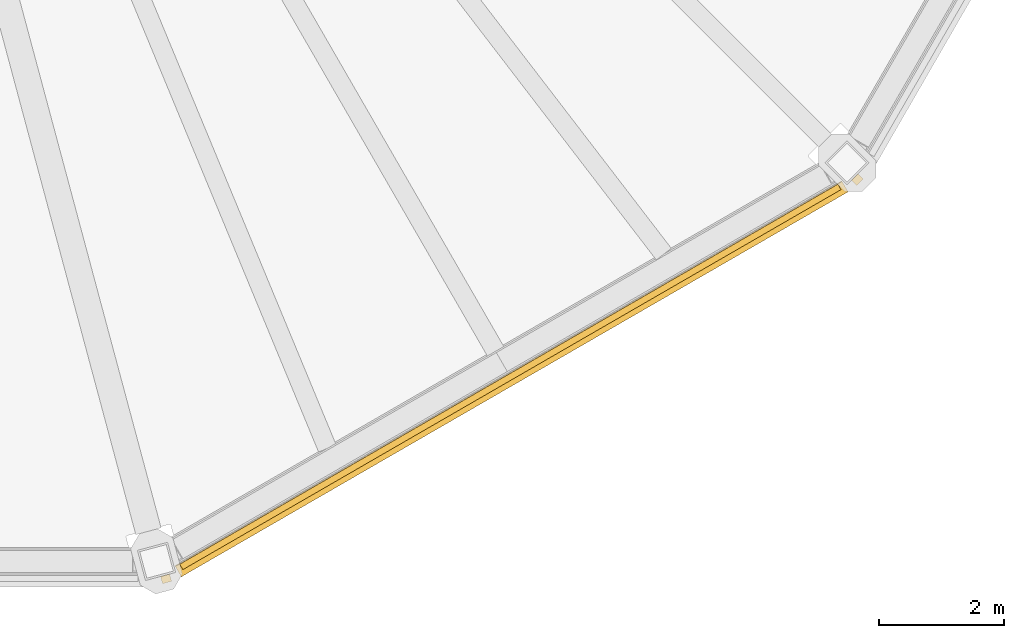
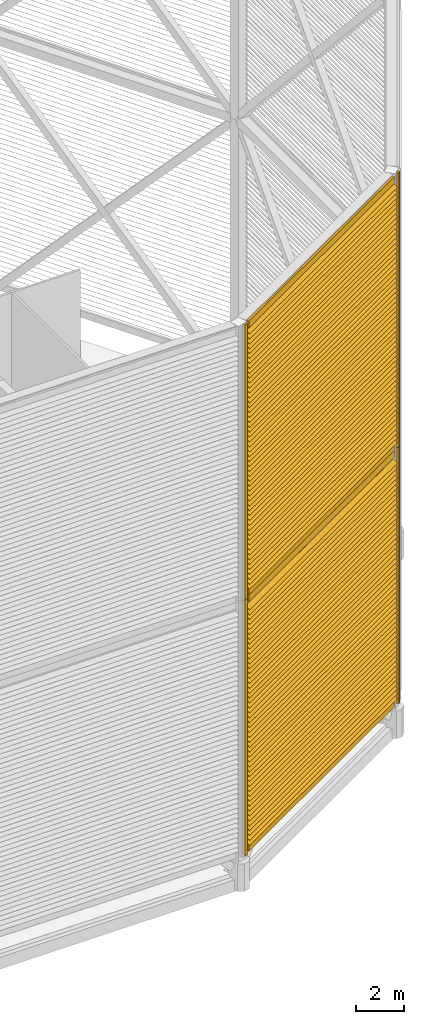
# One storey, part 11 of 18: 2 shading devices.
"""IFC4 building model written with IfcOpenShell, lengths in metres."""

from ifc_helpers import new_model, si_unit, direction, frame, origin, origin_2d, place, context, subcontext, project, spatial, rectangle, extrude, material, type_object, element, save


model = new_model("IFC4")

# Units and contexts
model_context = context("Model", 3, precision=1e-05, world=origin(), true_north=direction((0.0, 1.0)))
body_context = subcontext(model_context, "Body", "Model", "MODEL_VIEW")
ifc_project = project(units=[si_unit("LENGTHUNIT", "METRE"), si_unit("AREAUNIT", "SQUARE_METRE"), si_unit("VOLUMEUNIT", "CUBIC_METRE"), si_unit("PLANEANGLEUNIT", "RADIAN"), si_unit("MASSUNIT", "GRAM", prefix="KILO")], contexts=[model_context])

# Site, building, storey
site_placement = place(None, origin())
site = spatial("IfcSite", under=ifc_project, at=site_placement, CompositionType="ELEMENT")
building_placement = place(site_placement, origin())
building = spatial("IfcBuilding", under=site, at=building_placement, Name="Sahrelin Media Tower", CompositionType="ELEMENT")
storey_placement = place(building_placement, frame((0.0, 0.0, 335.800048828125)))
storey = spatial("IfcBuildingStorey", under=building, at=storey_placement, Name="Crown", CompositionType="ELEMENT", Elevation=335.800048828125)

# Shading devices
ifc_material = material(Name="Champagne anodised aluminium 6063-T6", Category="aluminium")
shading_device_type = type_object("IfcShadingDeviceType", Name="Crown louvre screen", PredefinedType="USERDEFINED", material=ifc_material)
shading_device_1_placement = place(storey_placement, frame((6.38525390625, -23.830078125, 0.949951171875), z_axis=(0.0, 0.0, 1.0), x_axis=(-0.866019052629, -0.500011000363, 0.0)))
element("IfcShadingDevice", 1, at=shading_device_1_placement, inside=storey, type_object=shading_device_type, Name="Crown louvre screen CS-09A", ObjectType="LOUVRE", PredefinedType="USERDEFINED", context=body_context, shape_type="SweptSolid", body=[
    extrude(rectangle(XDim=0.10009765625, YDim=0.35009765625, at=origin_2d()), frame((-0.300048828125, 0.27490234375, 12.875), z_axis=(-1.0, 0.0, 0.0), x_axis=(0.0, -1.0, 0.0)), (0.0, 0.0, 1.0), 12.17041015625),
    extrude(rectangle(XDim=0.10009765625, YDim=0.35009765625, at=origin_2d()), frame((-0.300048828125, 0.27490234375, 0.175048828125), z_axis=(-1.0, 0.0, 0.0), x_axis=(0.0, -1.0, 0.0)), (0.0, 0.0, 1.0), 12.17041015625),
    extrude(rectangle(XDim=0.1201171875, YDim=0.14990234375, at=origin_2d()), frame((0.0078125, 0.31884765625, 0.0), z_axis=(0.0, 0.0, 1.0), x_axis=(0.258820730961, 0.965925374563, 0.0)), (0.0, 0.0, 1.0), 13.050048828125),
    extrude(rectangle(XDim=0.1201171875, YDim=0.14990234375, at=origin_2d()), frame((-12.7783203125, 0.31884765625, 0.0), z_axis=(0.0, 0.0, 1.0), x_axis=(-0.258817359244, 0.965926278012, 0.0)), (0.0, 0.0, 1.0), 13.050048828125),
    extrude(rectangle(XDim=0.25, YDim=0.02001953125, at=origin_2d()), frame((-0.219970703125, 0.31005859375, 0.449951171875), z_axis=(-1.0, 0.0, 0.0), x_axis=(0.0, -0.766044443119, 0.642787609687)), (0.0, 0.0, 1.0), 12.33056640625),
    extrude(rectangle(XDim=0.25, YDim=0.02001953125, at=origin_2d()), frame((-0.219970703125, 0.31005859375, 0.699951171875), z_axis=(-1.0, 0.0, 0.0), x_axis=(0.0, -0.766044443119, 0.642787609687)), (0.0, 0.0, 1.0), 12.33056640625),
    extrude(rectangle(XDim=0.25, YDim=0.02001953125, at=origin_2d()), frame((-0.219970703125, 0.31005859375, 0.949951171875), z_axis=(-1.0, 0.0, 0.0), x_axis=(0.0, -0.766044443119, 0.642787609687)), (0.0, 0.0, 1.0), 12.33056640625),
    extrude(rectangle(XDim=0.25, YDim=0.02001953125, at=origin_2d()), frame((-0.219970703125, 0.31005859375, 1.199951171875), z_axis=(-1.0, 0.0, 0.0), x_axis=(0.0, -0.766044443119, 0.642787609687)), (0.0, 0.0, 1.0), 12.33056640625),
    extrude(rectangle(XDim=0.25, YDim=0.02001953125, at=origin_2d()), frame((-0.219970703125, 0.31005859375, 1.449951171875), z_axis=(-1.0, 0.0, 0.0), x_axis=(0.0, -0.766044443119, 0.642787609687)), (0.0, 0.0, 1.0), 12.33056640625),
    extrude(rectangle(XDim=0.25, YDim=0.02001953125, at=origin_2d()), frame((-0.219970703125, 0.31005859375, 1.699951171875), z_axis=(-1.0, 0.0, 0.0), x_axis=(0.0, -0.766044443119, 0.642787609687)), (0.0, 0.0, 1.0), 12.33056640625),
    extrude(rectangle(XDim=0.25, YDim=0.02001953125, at=origin_2d()), frame((-0.219970703125, 0.31005859375, 1.949951171875), z_axis=(-1.0, 0.0, 0.0), x_axis=(0.0, -0.766044443119, 0.642787609687)), (0.0, 0.0, 1.0), 12.33056640625),
    extrude(rectangle(XDim=0.25, YDim=0.02001953125, at=origin_2d()), frame((-0.219970703125, 0.31005859375, 2.199951171875), z_axis=(-1.0, 0.0, 0.0), x_axis=(0.0, -0.766044443119, 0.642787609687)), (0.0, 0.0, 1.0), 12.33056640625),
    extrude(rectangle(XDim=0.25, YDim=0.02001953125, at=origin_2d()), frame((-0.219970703125, 0.31005859375, 2.449951171875), z_axis=(-1.0, 0.0, 0.0), x_axis=(0.0, -0.766044443119, 0.642787609687)), (0.0, 0.0, 1.0), 12.33056640625),
    extrude(rectangle(XDim=0.25, YDim=0.02001953125, at=origin_2d()), frame((-0.219970703125, 0.31005859375, 2.699951171875), z_axis=(-1.0, 0.0, 0.0), x_axis=(0.0, -0.766044443119, 0.642787609687)), (0.0, 0.0, 1.0), 12.33056640625),
    extrude(rectangle(XDim=0.25, YDim=0.02001953125, at=origin_2d()), frame((-0.219970703125, 0.31005859375, 2.949951171875), z_axis=(-1.0, 0.0, 0.0), x_axis=(0.0, -0.766044443119, 0.642787609687)), (0.0, 0.0, 1.0), 12.33056640625),
    extrude(rectangle(XDim=0.25, YDim=0.02001953125, at=origin_2d()), frame((-0.219970703125, 0.31005859375, 3.199951171875), z_axis=(-1.0, 0.0, 0.0), x_axis=(0.0, -0.766044443119, 0.642787609687)), (0.0, 0.0, 1.0), 12.33056640625),
    extrude(rectangle(XDim=0.25, YDim=0.02001953125, at=origin_2d()), frame((-0.219970703125, 0.31005859375, 3.449951171875), z_axis=(-1.0, 0.0, 0.0), x_axis=(0.0, -0.766044443119, 0.642787609687)), (0.0, 0.0, 1.0), 12.33056640625),
    extrude(rectangle(XDim=0.25, YDim=0.02001953125, at=origin_2d()), frame((-0.219970703125, 0.31005859375, 3.699951171875), z_axis=(-1.0, 0.0, 0.0), x_axis=(0.0, -0.766044443119, 0.642787609687)), (0.0, 0.0, 1.0), 12.33056640625),
    extrude(rectangle(XDim=0.25, YDim=0.02001953125, at=origin_2d()), frame((-0.219970703125, 0.31005859375, 3.949951171875), z_axis=(-1.0, 0.0, 0.0), x_axis=(0.0, -0.766044443119, 0.642787609687)), (0.0, 0.0, 1.0), 12.33056640625),
    extrude(rectangle(XDim=0.25, YDim=0.02001953125, at=origin_2d()), frame((-0.219970703125, 0.31005859375, 4.199951171875), z_axis=(-1.0, 0.0, 0.0), x_axis=(0.0, -0.766044443119, 0.642787609687)), (0.0, 0.0, 1.0), 12.33056640625),
    extrude(rectangle(XDim=0.25, YDim=0.02001953125, at=origin_2d()), frame((-0.219970703125, 0.31005859375, 4.449951171875), z_axis=(-1.0, 0.0, 0.0), x_axis=(0.0, -0.766044443119, 0.642787609687)), (0.0, 0.0, 1.0), 12.33056640625),
    extrude(rectangle(XDim=0.25, YDim=0.02001953125, at=origin_2d()), frame((-0.219970703125, 0.31005859375, 4.699951171875), z_axis=(-1.0, 0.0, 0.0), x_axis=(0.0, -0.766044443119, 0.642787609687)), (0.0, 0.0, 1.0), 12.33056640625),
    extrude(rectangle(XDim=0.25, YDim=0.02001953125, at=origin_2d()), frame((-0.219970703125, 0.31005859375, 4.949951171875), z_axis=(-1.0, 0.0, 0.0), x_axis=(0.0, -0.766044443119, 0.642787609687)), (0.0, 0.0, 1.0), 12.33056640625),
    extrude(rectangle(XDim=0.25, YDim=0.02001953125, at=origin_2d()), frame((-0.219970703125, 0.31005859375, 5.199951171875), z_axis=(-1.0, 0.0, 0.0), x_axis=(0.0, -0.766044443119, 0.642787609687)), (0.0, 0.0, 1.0), 12.33056640625),
    extrude(rectangle(XDim=0.25, YDim=0.02001953125, at=origin_2d()), frame((-0.219970703125, 0.31005859375, 5.449951171875), z_axis=(-1.0, 0.0, 0.0), x_axis=(0.0, -0.766044443119, 0.642787609687)), (0.0, 0.0, 1.0), 12.33056640625),
    extrude(rectangle(XDim=0.25, YDim=0.02001953125, at=origin_2d()), frame((-0.219970703125, 0.31005859375, 5.699951171875), z_axis=(-1.0, 0.0, 0.0), x_axis=(0.0, -0.766044443119, 0.642787609687)), (0.0, 0.0, 1.0), 12.33056640625),
    extrude(rectangle(XDim=0.25, YDim=0.02001953125, at=origin_2d()), frame((-0.219970703125, 0.31005859375, 5.949951171875), z_axis=(-1.0, 0.0, 0.0), x_axis=(0.0, -0.766044443119, 0.642787609687)), (0.0, 0.0, 1.0), 12.33056640625),
    extrude(rectangle(XDim=0.25, YDim=0.02001953125, at=origin_2d()), frame((-0.219970703125, 0.31005859375, 6.199951171875), z_axis=(-1.0, 0.0, 0.0), x_axis=(0.0, -0.766044443119, 0.642787609687)), (0.0, 0.0, 1.0), 12.33056640625),
    extrude(rectangle(XDim=0.25, YDim=0.02001953125, at=origin_2d()), frame((-0.219970703125, 0.31005859375, 6.449951171875), z_axis=(-1.0, 0.0, 0.0), x_axis=(0.0, -0.766044443119, 0.642787609687)), (0.0, 0.0, 1.0), 12.33056640625),
    extrude(rectangle(XDim=0.25, YDim=0.02001953125, at=origin_2d()), frame((-0.219970703125, 0.31005859375, 6.699951171875), z_axis=(-1.0, 0.0, 0.0), x_axis=(0.0, -0.766044443119, 0.642787609687)), (0.0, 0.0, 1.0), 12.33056640625),
    extrude(rectangle(XDim=0.25, YDim=0.02001953125, at=origin_2d()), frame((-0.219970703125, 0.31005859375, 6.949951171875), z_axis=(-1.0, 0.0, 0.0), x_axis=(0.0, -0.766044443119, 0.642787609687)), (0.0, 0.0, 1.0), 12.33056640625),
    extrude(rectangle(XDim=0.25, YDim=0.02001953125, at=origin_2d()), frame((-0.219970703125, 0.31005859375, 7.199951171875), z_axis=(-1.0, 0.0, 0.0), x_axis=(0.0, -0.766044443119, 0.642787609687)), (0.0, 0.0, 1.0), 12.33056640625),
    extrude(rectangle(XDim=0.25, YDim=0.02001953125, at=origin_2d()), frame((-0.219970703125, 0.31005859375, 7.449951171875), z_axis=(-1.0, 0.0, 0.0), x_axis=(0.0, -0.766044443119, 0.642787609687)), (0.0, 0.0, 1.0), 12.33056640625),
    extrude(rectangle(XDim=0.25, YDim=0.02001953125, at=origin_2d()), frame((-0.219970703125, 0.31005859375, 7.699951171875), z_axis=(-1.0, 0.0, 0.0), x_axis=(0.0, -0.766044443119, 0.642787609687)), (0.0, 0.0, 1.0), 12.33056640625),
    extrude(rectangle(XDim=0.25, YDim=0.02001953125, at=origin_2d()), frame((-0.219970703125, 0.31005859375, 7.949951171875), z_axis=(-1.0, 0.0, 0.0), x_axis=(0.0, -0.766044443119, 0.642787609687)), (0.0, 0.0, 1.0), 12.33056640625),
    extrude(rectangle(XDim=0.25, YDim=0.02001953125, at=origin_2d()), frame((-0.219970703125, 0.31005859375, 8.199951171875), z_axis=(-1.0, 0.0, 0.0), x_axis=(0.0, -0.766044443119, 0.642787609687)), (0.0, 0.0, 1.0), 12.33056640625),
    extrude(rectangle(XDim=0.25, YDim=0.02001953125, at=origin_2d()), frame((-0.219970703125, 0.31005859375, 8.449951171875), z_axis=(-1.0, 0.0, 0.0), x_axis=(0.0, -0.766044443119, 0.642787609687)), (0.0, 0.0, 1.0), 12.33056640625),
    extrude(rectangle(XDim=0.25, YDim=0.02001953125, at=origin_2d()), frame((-0.219970703125, 0.31005859375, 8.699951171875), z_axis=(-1.0, 0.0, 0.0), x_axis=(0.0, -0.766044443119, 0.642787609687)), (0.0, 0.0, 1.0), 12.33056640625),
    extrude(rectangle(XDim=0.25, YDim=0.02001953125, at=origin_2d()), frame((-0.219970703125, 0.31005859375, 8.949951171875), z_axis=(-1.0, 0.0, 0.0), x_axis=(0.0, -0.766044443119, 0.642787609687)), (0.0, 0.0, 1.0), 12.33056640625),
    extrude(rectangle(XDim=0.25, YDim=0.02001953125, at=origin_2d()), frame((-0.219970703125, 0.31005859375, 9.199951171875), z_axis=(-1.0, 0.0, 0.0), x_axis=(0.0, -0.766044443119, 0.642787609687)), (0.0, 0.0, 1.0), 12.33056640625),
    extrude(rectangle(XDim=0.25, YDim=0.02001953125, at=origin_2d()), frame((-0.219970703125, 0.31005859375, 9.449951171875), z_axis=(-1.0, 0.0, 0.0), x_axis=(0.0, -0.766044443119, 0.642787609687)), (0.0, 0.0, 1.0), 12.33056640625),
    extrude(rectangle(XDim=0.25, YDim=0.02001953125, at=origin_2d()), frame((-0.219970703125, 0.31005859375, 9.699951171875), z_axis=(-1.0, 0.0, 0.0), x_axis=(0.0, -0.766044443119, 0.642787609687)), (0.0, 0.0, 1.0), 12.33056640625),
    extrude(rectangle(XDim=0.25, YDim=0.02001953125, at=origin_2d()), frame((-0.219970703125, 0.31005859375, 9.949951171875), z_axis=(-1.0, 0.0, 0.0), x_axis=(0.0, -0.766044443119, 0.642787609687)), (0.0, 0.0, 1.0), 12.33056640625),
    extrude(rectangle(XDim=0.25, YDim=0.02001953125, at=origin_2d()), frame((-0.219970703125, 0.31005859375, 10.199951171875), z_axis=(-1.0, 0.0, 0.0), x_axis=(0.0, -0.766044443119, 0.642787609687)), (0.0, 0.0, 1.0), 12.33056640625),
    extrude(rectangle(XDim=0.25, YDim=0.02001953125, at=origin_2d()), frame((-0.219970703125, 0.31005859375, 10.449951171875), z_axis=(-1.0, 0.0, 0.0), x_axis=(0.0, -0.766044443119, 0.642787609687)), (0.0, 0.0, 1.0), 12.33056640625),
    extrude(rectangle(XDim=0.25, YDim=0.02001953125, at=origin_2d()), frame((-0.219970703125, 0.31005859375, 10.699951171875), z_axis=(-1.0, 0.0, 0.0), x_axis=(0.0, -0.766044443119, 0.642787609687)), (0.0, 0.0, 1.0), 12.33056640625),
    extrude(rectangle(XDim=0.25, YDim=0.02001953125, at=origin_2d()), frame((-0.219970703125, 0.31005859375, 10.949951171875), z_axis=(-1.0, 0.0, 0.0), x_axis=(0.0, -0.766044443119, 0.642787609687)), (0.0, 0.0, 1.0), 12.33056640625),
    extrude(rectangle(XDim=0.25, YDim=0.02001953125, at=origin_2d()), frame((-0.219970703125, 0.31005859375, 11.199951171875), z_axis=(-1.0, 0.0, 0.0), x_axis=(0.0, -0.766044443119, 0.642787609687)), (0.0, 0.0, 1.0), 12.33056640625),
    extrude(rectangle(XDim=0.25, YDim=0.02001953125, at=origin_2d()), frame((-0.219970703125, 0.31005859375, 11.449951171875), z_axis=(-1.0, 0.0, 0.0), x_axis=(0.0, -0.766044443119, 0.642787609687)), (0.0, 0.0, 1.0), 12.33056640625),
    extrude(rectangle(XDim=0.25, YDim=0.02001953125, at=origin_2d()), frame((-0.219970703125, 0.31005859375, 11.699951171875), z_axis=(-1.0, 0.0, 0.0), x_axis=(0.0, -0.766044443119, 0.642787609687)), (0.0, 0.0, 1.0), 12.33056640625),
    extrude(rectangle(XDim=0.25, YDim=0.02001953125, at=origin_2d()), frame((-0.219970703125, 0.31005859375, 11.949951171875), z_axis=(-1.0, 0.0, 0.0), x_axis=(0.0, -0.766044443119, 0.642787609687)), (0.0, 0.0, 1.0), 12.33056640625),
    extrude(rectangle(XDim=0.25, YDim=0.02001953125, at=origin_2d()), frame((-0.219970703125, 0.31005859375, 12.199951171875), z_axis=(-1.0, 0.0, 0.0), x_axis=(0.0, -0.766044443119, 0.642787609687)), (0.0, 0.0, 1.0), 12.33056640625),
    extrude(rectangle(XDim=0.25, YDim=0.02001953125, at=origin_2d()), frame((-0.219970703125, 0.31005859375, 12.449951171875), z_axis=(-1.0, 0.0, 0.0), x_axis=(0.0, -0.766044443119, 0.642787609687)), (0.0, 0.0, 1.0), 12.33056640625),
])
shading_device_2_placement = place(storey_placement, frame((6.38525390625, -23.830078125, 14.0), z_axis=(0.0, 0.0, 1.0), x_axis=(-0.866019052629, -0.500011000363, 0.0)))
element("IfcShadingDevice", 2, at=shading_device_2_placement, inside=storey, type_object=shading_device_type, Name="Crown louvre screen CS-09B", ObjectType="LOUVRE", PredefinedType="USERDEFINED", context=body_context, shape_type="SweptSolid", body=[
    extrude(rectangle(XDim=0.10009765625, YDim=0.35009765625, at=origin_2d()), frame((-0.300048828125, 0.27490234375, 13.77490234375), z_axis=(-1.0, 0.0, 0.0), x_axis=(0.0, -1.0, 0.0)), (0.0, 0.0, 1.0), 12.17041015625),
    extrude(rectangle(XDim=0.10009765625, YDim=0.35009765625, at=origin_2d()), frame((-0.300048828125, 0.27490234375, 0.175048828125), z_axis=(-1.0, 0.0, 0.0), x_axis=(0.0, -1.0, 0.0)), (0.0, 0.0, 1.0), 12.17041015625),
    extrude(rectangle(XDim=0.1201171875, YDim=0.14990234375, at=origin_2d()), frame((0.0078125, 0.31884765625, 0.0), z_axis=(0.0, 0.0, 1.0), x_axis=(0.258820730961, 0.965925374563, 0.0)), (0.0, 0.0, 1.0), 14.0),
    extrude(rectangle(XDim=0.1201171875, YDim=0.14990234375, at=origin_2d()), frame((-12.7783203125, 0.31884765625, 0.0), z_axis=(0.0, 0.0, 1.0), x_axis=(-0.258817359244, 0.965926278012, 0.0)), (0.0, 0.0, 1.0), 14.0),
    extrude(rectangle(XDim=0.25, YDim=0.02001953125, at=origin_2d()), frame((-0.219970703125, 0.31005859375, 0.449951171875), z_axis=(-1.0, 0.0, 0.0), x_axis=(0.0, -0.766044443119, 0.642787609687)), (0.0, 0.0, 1.0), 12.33056640625),
    extrude(rectangle(XDim=0.25, YDim=0.02001953125, at=origin_2d()), frame((-0.219970703125, 0.31005859375, 0.699951171875), z_axis=(-1.0, 0.0, 0.0), x_axis=(0.0, -0.766044443119, 0.642787609687)), (0.0, 0.0, 1.0), 12.33056640625),
    extrude(rectangle(XDim=0.25, YDim=0.02001953125, at=origin_2d()), frame((-0.219970703125, 0.31005859375, 0.949951171875), z_axis=(-1.0, 0.0, 0.0), x_axis=(0.0, -0.766044443119, 0.642787609687)), (0.0, 0.0, 1.0), 12.33056640625),
    extrude(rectangle(XDim=0.25, YDim=0.02001953125, at=origin_2d()), frame((-0.219970703125, 0.31005859375, 1.199951171875), z_axis=(-1.0, 0.0, 0.0), x_axis=(0.0, -0.766044443119, 0.642787609687)), (0.0, 0.0, 1.0), 12.33056640625),
    extrude(rectangle(XDim=0.25, YDim=0.02001953125, at=origin_2d()), frame((-0.219970703125, 0.31005859375, 1.449951171875), z_axis=(-1.0, 0.0, 0.0), x_axis=(0.0, -0.766044443119, 0.642787609687)), (0.0, 0.0, 1.0), 12.33056640625),
    extrude(rectangle(XDim=0.25, YDim=0.02001953125, at=origin_2d()), frame((-0.219970703125, 0.31005859375, 1.699951171875), z_axis=(-1.0, 0.0, 0.0), x_axis=(0.0, -0.766044443119, 0.642787609687)), (0.0, 0.0, 1.0), 12.33056640625),
    extrude(rectangle(XDim=0.25, YDim=0.02001953125, at=origin_2d()), frame((-0.219970703125, 0.31005859375, 1.949951171875), z_axis=(-1.0, 0.0, 0.0), x_axis=(0.0, -0.766044443119, 0.642787609687)), (0.0, 0.0, 1.0), 12.33056640625),
    extrude(rectangle(XDim=0.25, YDim=0.02001953125, at=origin_2d()), frame((-0.219970703125, 0.31005859375, 2.199951171875), z_axis=(-1.0, 0.0, 0.0), x_axis=(0.0, -0.766044443119, 0.642787609687)), (0.0, 0.0, 1.0), 12.33056640625),
    extrude(rectangle(XDim=0.25, YDim=0.02001953125, at=origin_2d()), frame((-0.219970703125, 0.31005859375, 2.449951171875), z_axis=(-1.0, 0.0, 0.0), x_axis=(0.0, -0.766044443119, 0.642787609687)), (0.0, 0.0, 1.0), 12.33056640625),
    extrude(rectangle(XDim=0.25, YDim=0.02001953125, at=origin_2d()), frame((-0.219970703125, 0.31005859375, 2.699951171875), z_axis=(-1.0, 0.0, 0.0), x_axis=(0.0, -0.766044443119, 0.642787609687)), (0.0, 0.0, 1.0), 12.33056640625),
    extrude(rectangle(XDim=0.25, YDim=0.02001953125, at=origin_2d()), frame((-0.219970703125, 0.31005859375, 2.949951171875), z_axis=(-1.0, 0.0, 0.0), x_axis=(0.0, -0.766044443119, 0.642787609687)), (0.0, 0.0, 1.0), 12.33056640625),
    extrude(rectangle(XDim=0.25, YDim=0.02001953125, at=origin_2d()), frame((-0.219970703125, 0.31005859375, 3.199951171875), z_axis=(-1.0, 0.0, 0.0), x_axis=(0.0, -0.766044443119, 0.642787609687)), (0.0, 0.0, 1.0), 12.33056640625),
    extrude(rectangle(XDim=0.25, YDim=0.02001953125, at=origin_2d()), frame((-0.219970703125, 0.31005859375, 3.449951171875), z_axis=(-1.0, 0.0, 0.0), x_axis=(0.0, -0.766044443119, 0.642787609687)), (0.0, 0.0, 1.0), 12.33056640625),
    extrude(rectangle(XDim=0.25, YDim=0.02001953125, at=origin_2d()), frame((-0.219970703125, 0.31005859375, 3.699951171875), z_axis=(-1.0, 0.0, 0.0), x_axis=(0.0, -0.766044443119, 0.642787609687)), (0.0, 0.0, 1.0), 12.33056640625),
    extrude(rectangle(XDim=0.25, YDim=0.02001953125, at=origin_2d()), frame((-0.219970703125, 0.31005859375, 3.949951171875), z_axis=(-1.0, 0.0, 0.0), x_axis=(0.0, -0.766044443119, 0.642787609687)), (0.0, 0.0, 1.0), 12.33056640625),
    extrude(rectangle(XDim=0.25, YDim=0.02001953125, at=origin_2d()), frame((-0.219970703125, 0.31005859375, 4.199951171875), z_axis=(-1.0, 0.0, 0.0), x_axis=(0.0, -0.766044443119, 0.642787609687)), (0.0, 0.0, 1.0), 12.33056640625),
    extrude(rectangle(XDim=0.25, YDim=0.02001953125, at=origin_2d()), frame((-0.219970703125, 0.31005859375, 4.449951171875), z_axis=(-1.0, 0.0, 0.0), x_axis=(0.0, -0.766044443119, 0.642787609687)), (0.0, 0.0, 1.0), 12.33056640625),
    extrude(rectangle(XDim=0.25, YDim=0.02001953125, at=origin_2d()), frame((-0.219970703125, 0.31005859375, 4.699951171875), z_axis=(-1.0, 0.0, 0.0), x_axis=(0.0, -0.766044443119, 0.642787609687)), (0.0, 0.0, 1.0), 12.33056640625),
    extrude(rectangle(XDim=0.25, YDim=0.02001953125, at=origin_2d()), frame((-0.219970703125, 0.31005859375, 4.949951171875), z_axis=(-1.0, 0.0, 0.0), x_axis=(0.0, -0.766044443119, 0.642787609687)), (0.0, 0.0, 1.0), 12.33056640625),
    extrude(rectangle(XDim=0.25, YDim=0.02001953125, at=origin_2d()), frame((-0.219970703125, 0.31005859375, 5.199951171875), z_axis=(-1.0, 0.0, 0.0), x_axis=(0.0, -0.766044443119, 0.642787609687)), (0.0, 0.0, 1.0), 12.33056640625),
    extrude(rectangle(XDim=0.25, YDim=0.02001953125, at=origin_2d()), frame((-0.219970703125, 0.31005859375, 5.449951171875), z_axis=(-1.0, 0.0, 0.0), x_axis=(0.0, -0.766044443119, 0.642787609687)), (0.0, 0.0, 1.0), 12.33056640625),
    extrude(rectangle(XDim=0.25, YDim=0.02001953125, at=origin_2d()), frame((-0.219970703125, 0.31005859375, 5.699951171875), z_axis=(-1.0, 0.0, 0.0), x_axis=(0.0, -0.766044443119, 0.642787609687)), (0.0, 0.0, 1.0), 12.33056640625),
    extrude(rectangle(XDim=0.25, YDim=0.02001953125, at=origin_2d()), frame((-0.219970703125, 0.31005859375, 5.949951171875), z_axis=(-1.0, 0.0, 0.0), x_axis=(0.0, -0.766044443119, 0.642787609687)), (0.0, 0.0, 1.0), 12.33056640625),
    extrude(rectangle(XDim=0.25, YDim=0.02001953125, at=origin_2d()), frame((-0.219970703125, 0.31005859375, 6.199951171875), z_axis=(-1.0, 0.0, 0.0), x_axis=(0.0, -0.766044443119, 0.642787609687)), (0.0, 0.0, 1.0), 12.33056640625),
    extrude(rectangle(XDim=0.25, YDim=0.02001953125, at=origin_2d()), frame((-0.219970703125, 0.31005859375, 6.449951171875), z_axis=(-1.0, 0.0, 0.0), x_axis=(0.0, -0.766044443119, 0.642787609687)), (0.0, 0.0, 1.0), 12.33056640625),
    extrude(rectangle(XDim=0.25, YDim=0.02001953125, at=origin_2d()), frame((-0.219970703125, 0.31005859375, 6.699951171875), z_axis=(-1.0, 0.0, 0.0), x_axis=(0.0, -0.766044443119, 0.642787609687)), (0.0, 0.0, 1.0), 12.33056640625),
    extrude(rectangle(XDim=0.25, YDim=0.02001953125, at=origin_2d()), frame((-0.219970703125, 0.31005859375, 6.949951171875), z_axis=(-1.0, 0.0, 0.0), x_axis=(0.0, -0.766044443119, 0.642787609687)), (0.0, 0.0, 1.0), 12.33056640625),
    extrude(rectangle(XDim=0.25, YDim=0.02001953125, at=origin_2d()), frame((-0.219970703125, 0.31005859375, 7.199951171875), z_axis=(-1.0, 0.0, 0.0), x_axis=(0.0, -0.766044443119, 0.642787609687)), (0.0, 0.0, 1.0), 12.33056640625),
    extrude(rectangle(XDim=0.25, YDim=0.02001953125, at=origin_2d()), frame((-0.219970703125, 0.31005859375, 7.449951171875), z_axis=(-1.0, 0.0, 0.0), x_axis=(0.0, -0.766044443119, 0.642787609687)), (0.0, 0.0, 1.0), 12.33056640625),
    extrude(rectangle(XDim=0.25, YDim=0.02001953125, at=origin_2d()), frame((-0.219970703125, 0.31005859375, 7.699951171875), z_axis=(-1.0, 0.0, 0.0), x_axis=(0.0, -0.766044443119, 0.642787609687)), (0.0, 0.0, 1.0), 12.33056640625),
    extrude(rectangle(XDim=0.25, YDim=0.02001953125, at=origin_2d()), frame((-0.219970703125, 0.31005859375, 7.949951171875), z_axis=(-1.0, 0.0, 0.0), x_axis=(0.0, -0.766044443119, 0.642787609687)), (0.0, 0.0, 1.0), 12.33056640625),
    extrude(rectangle(XDim=0.25, YDim=0.02001953125, at=origin_2d()), frame((-0.219970703125, 0.31005859375, 8.199951171875), z_axis=(-1.0, 0.0, 0.0), x_axis=(0.0, -0.766044443119, 0.642787609687)), (0.0, 0.0, 1.0), 12.33056640625),
    extrude(rectangle(XDim=0.25, YDim=0.02001953125, at=origin_2d()), frame((-0.219970703125, 0.31005859375, 8.449951171875), z_axis=(-1.0, 0.0, 0.0), x_axis=(0.0, -0.766044443119, 0.642787609687)), (0.0, 0.0, 1.0), 12.33056640625),
    extrude(rectangle(XDim=0.25, YDim=0.02001953125, at=origin_2d()), frame((-0.219970703125, 0.31005859375, 8.699951171875), z_axis=(-1.0, 0.0, 0.0), x_axis=(0.0, -0.766044443119, 0.642787609687)), (0.0, 0.0, 1.0), 12.33056640625),
    extrude(rectangle(XDim=0.25, YDim=0.02001953125, at=origin_2d()), frame((-0.219970703125, 0.31005859375, 8.949951171875), z_axis=(-1.0, 0.0, 0.0), x_axis=(0.0, -0.766044443119, 0.642787609687)), (0.0, 0.0, 1.0), 12.33056640625),
    extrude(rectangle(XDim=0.25, YDim=0.02001953125, at=origin_2d()), frame((-0.219970703125, 0.31005859375, 9.199951171875), z_axis=(-1.0, 0.0, 0.0), x_axis=(0.0, -0.766044443119, 0.642787609687)), (0.0, 0.0, 1.0), 12.33056640625),
    extrude(rectangle(XDim=0.25, YDim=0.02001953125, at=origin_2d()), frame((-0.219970703125, 0.31005859375, 9.449951171875), z_axis=(-1.0, 0.0, 0.0), x_axis=(0.0, -0.766044443119, 0.642787609687)), (0.0, 0.0, 1.0), 12.33056640625),
    extrude(rectangle(XDim=0.25, YDim=0.02001953125, at=origin_2d()), frame((-0.219970703125, 0.31005859375, 9.699951171875), z_axis=(-1.0, 0.0, 0.0), x_axis=(0.0, -0.766044443119, 0.642787609687)), (0.0, 0.0, 1.0), 12.33056640625),
    extrude(rectangle(XDim=0.25, YDim=0.02001953125, at=origin_2d()), frame((-0.219970703125, 0.31005859375, 9.949951171875), z_axis=(-1.0, 0.0, 0.0), x_axis=(0.0, -0.766044443119, 0.642787609687)), (0.0, 0.0, 1.0), 12.33056640625),
    extrude(rectangle(XDim=0.25, YDim=0.02001953125, at=origin_2d()), frame((-0.219970703125, 0.31005859375, 10.199951171875), z_axis=(-1.0, 0.0, 0.0), x_axis=(0.0, -0.766044443119, 0.642787609687)), (0.0, 0.0, 1.0), 12.33056640625),
    extrude(rectangle(XDim=0.25, YDim=0.02001953125, at=origin_2d()), frame((-0.219970703125, 0.31005859375, 10.449951171875), z_axis=(-1.0, 0.0, 0.0), x_axis=(0.0, -0.766044443119, 0.642787609687)), (0.0, 0.0, 1.0), 12.33056640625),
    extrude(rectangle(XDim=0.25, YDim=0.02001953125, at=origin_2d()), frame((-0.219970703125, 0.31005859375, 10.699951171875), z_axis=(-1.0, 0.0, 0.0), x_axis=(0.0, -0.766044443119, 0.642787609687)), (0.0, 0.0, 1.0), 12.33056640625),
    extrude(rectangle(XDim=0.25, YDim=0.02001953125, at=origin_2d()), frame((-0.219970703125, 0.31005859375, 10.949951171875), z_axis=(-1.0, 0.0, 0.0), x_axis=(0.0, -0.766044443119, 0.642787609687)), (0.0, 0.0, 1.0), 12.33056640625),
    extrude(rectangle(XDim=0.25, YDim=0.02001953125, at=origin_2d()), frame((-0.219970703125, 0.31005859375, 11.199951171875), z_axis=(-1.0, 0.0, 0.0), x_axis=(0.0, -0.766044443119, 0.642787609687)), (0.0, 0.0, 1.0), 12.33056640625),
    extrude(rectangle(XDim=0.25, YDim=0.02001953125, at=origin_2d()), frame((-0.219970703125, 0.31005859375, 11.449951171875), z_axis=(-1.0, 0.0, 0.0), x_axis=(0.0, -0.766044443119, 0.642787609687)), (0.0, 0.0, 1.0), 12.33056640625),
    extrude(rectangle(XDim=0.25, YDim=0.02001953125, at=origin_2d()), frame((-0.219970703125, 0.31005859375, 11.699951171875), z_axis=(-1.0, 0.0, 0.0), x_axis=(0.0, -0.766044443119, 0.642787609687)), (0.0, 0.0, 1.0), 12.33056640625),
    extrude(rectangle(XDim=0.25, YDim=0.02001953125, at=origin_2d()), frame((-0.219970703125, 0.31005859375, 11.949951171875), z_axis=(-1.0, 0.0, 0.0), x_axis=(0.0, -0.766044443119, 0.642787609687)), (0.0, 0.0, 1.0), 12.33056640625),
    extrude(rectangle(XDim=0.25, YDim=0.02001953125, at=origin_2d()), frame((-0.219970703125, 0.31005859375, 12.199951171875), z_axis=(-1.0, 0.0, 0.0), x_axis=(0.0, -0.766044443119, 0.642787609687)), (0.0, 0.0, 1.0), 12.33056640625),
    extrude(rectangle(XDim=0.25, YDim=0.02001953125, at=origin_2d()), frame((-0.219970703125, 0.31005859375, 12.449951171875), z_axis=(-1.0, 0.0, 0.0), x_axis=(0.0, -0.766044443119, 0.642787609687)), (0.0, 0.0, 1.0), 12.33056640625),
    extrude(rectangle(XDim=0.25, YDim=0.02001953125, at=origin_2d()), frame((-0.219970703125, 0.31005859375, 12.699951171875), z_axis=(-1.0, 0.0, 0.0), x_axis=(0.0, -0.766044443119, 0.642787609687)), (0.0, 0.0, 1.0), 12.33056640625),
    extrude(rectangle(XDim=0.25, YDim=0.02001953125, at=origin_2d()), frame((-0.219970703125, 0.31005859375, 12.949951171875), z_axis=(-1.0, 0.0, 0.0), x_axis=(0.0, -0.766044443119, 0.642787609687)), (0.0, 0.0, 1.0), 12.33056640625),
    extrude(rectangle(XDim=0.25, YDim=0.02001953125, at=origin_2d()), frame((-0.219970703125, 0.31005859375, 13.199951171875), z_axis=(-1.0, 0.0, 0.0), x_axis=(0.0, -0.766044443119, 0.642787609687)), (0.0, 0.0, 1.0), 12.33056640625),
    extrude(rectangle(XDim=0.25, YDim=0.02001953125, at=origin_2d()), frame((-0.219970703125, 0.31005859375, 13.449951171875), z_axis=(-1.0, 0.0, 0.0), x_axis=(0.0, -0.766044443119, 0.642787609687)), (0.0, 0.0, 1.0), 12.33056640625),
])

save(model, "model.ifc")
